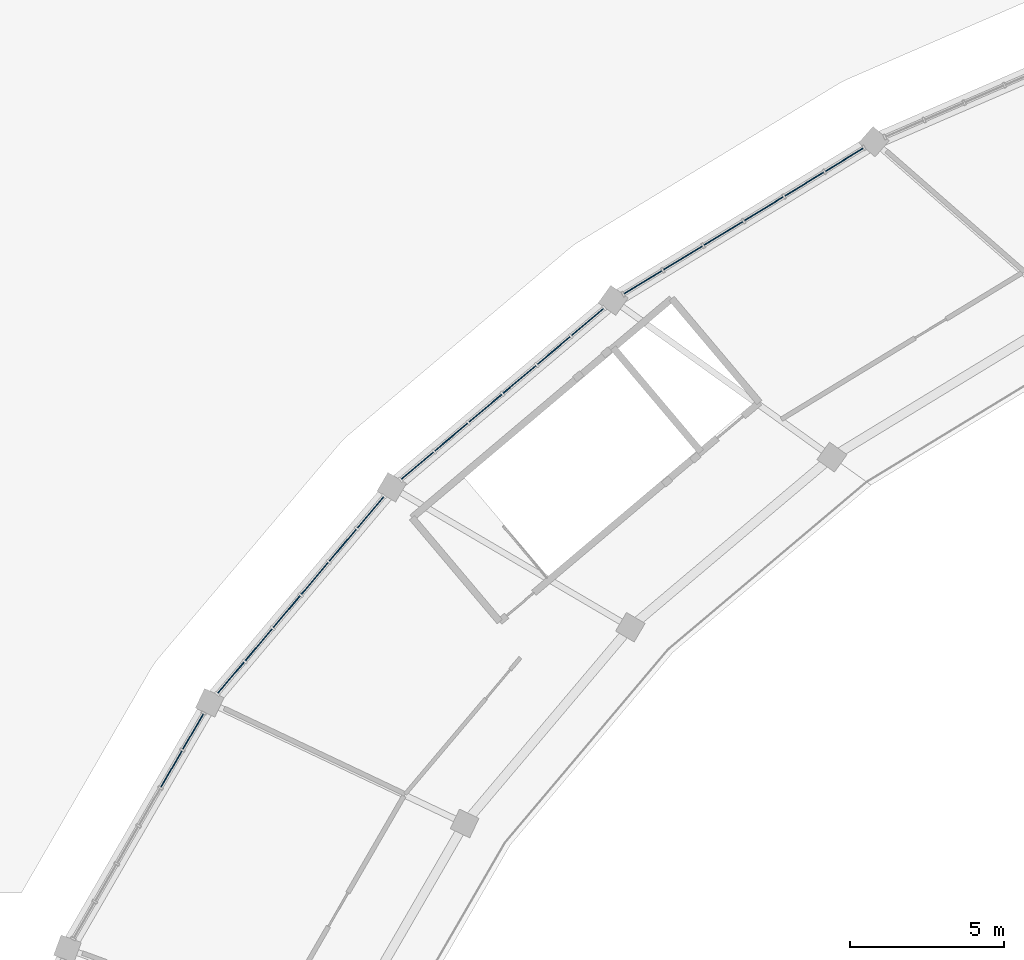
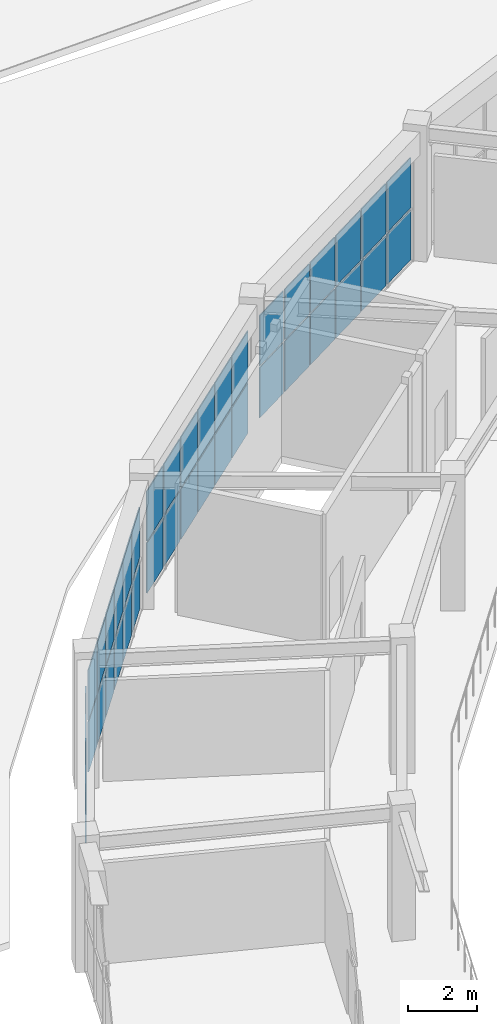
# One storey, part 34 of 45: 40 plates, 4 elements without a shape of their own.
"""IFC4 building model written with IfcOpenShell, lengths in metres."""

from ifc_helpers import new_model, si_unit, direction, frame, origin, origin_2d, place, context, subcontext, project, spatial, rectangle, extrude, material, layer, layer_set, type_object, element, aggregate, save


model = new_model("IFC4")

# Units and contexts
model_context = context("Model", 3, precision=1e-05, world=origin(), true_north=direction((0.0, 1.0)))
body_context = subcontext(model_context, "Body", "Model", "MODEL_VIEW")
ifc_project = project(units=[si_unit("LENGTHUNIT", "METRE"), si_unit("AREAUNIT", "SQUARE_METRE"), si_unit("VOLUMEUNIT", "CUBIC_METRE"), si_unit("PLANEANGLEUNIT", "RADIAN"), si_unit("MASSUNIT", "GRAM", prefix="KILO")], contexts=[model_context])

# Site, building, storey
site_placement = place(None, origin())
site = spatial("IfcSite", under=ifc_project, at=site_placement, CompositionType="ELEMENT")
building_placement = place(site_placement, origin())
building = spatial("IfcBuilding", under=site, at=building_placement, Name="Mphavela Belvedere Stadium", CompositionType="ELEMENT")
storey_placement = place(building_placement, frame((0.0, 0.0, 24.0)))
storey = spatial("IfcBuildingStorey", under=building, at=storey_placement, Name="L05", CompositionType="ELEMENT", Elevation=24.0)

# Curtain wall, plates
ifc_material_1 = material(Name="Anodised bronze unitised curtain wall framing")
ifc_layer_1 = layer(ifc_material_1, 0.205078125)
ifc_layer_set_1 = layer_set([ifc_layer_1], Name="Anodised bronze unitised curtain wall framing")
curtain_wall_type_1 = type_object("IfcCurtainWallType", Name="CW-UNIT-06", PredefinedType="USERDEFINED", material=ifc_layer_set_1)
curtain_wall_1_placement = place(storey_placement, origin())
curtain_wall_1 = element("IfcCurtainWall", 1, at=curtain_wall_1_placement, inside=storey, type_object=curtain_wall_type_1, Name="Belvedere colonnade curtain wall L05-18", ObjectType="UNITISED CURTAIN WALL", PredefinedType="USERDEFINED")
ifc_material_2 = material(Name="Solar-control double glazing", Category="glass")
ifc_layer_2 = layer(ifc_material_2, 0.031982421875)
ifc_layer_set_2 = layer_set([ifc_layer_2], Name="Solar-control double glazing")
plate_type = type_object("IfcPlateType", Name="CWP-SOLAR-GLASS", PredefinedType="CURTAIN_PANEL", material=ifc_layer_set_2)
plate_1_placement = place(storey_placement, frame((43.337158203125, 148.27294921875, 0.06005859375), z_axis=(0.0, 0.0, 1.0), x_axis=(-0.854327323226, -0.519735341101, 0.0)))
plate_1 = element("IfcPlate", 2, at=plate_1_placement, type_object=plate_type, Name="CW-06 panel 1.1", PredefinedType="CURTAIN_PANEL", context=body_context, shape_type="SweptSolid", body=[
    extrude(rectangle(XDim=1.436767578125, YDim=0.031982421875, at=origin_2d()), origin(), (0.0, 0.0, 1.0), 1.77001953125),
])
plate_2_placement = place(storey_placement, frame((43.337158203125, 148.27294921875, 1.889892578125), z_axis=(0.0, 0.0, 1.0), x_axis=(-0.854327323226, -0.519735341101, 0.0)))
plate_2 = element("IfcPlate", 3, at=plate_2_placement, type_object=plate_type, Name="CW-06 panel 1.2", PredefinedType="CURTAIN_PANEL", context=body_context, shape_type="SweptSolid", body=[
    extrude(rectangle(XDim=1.436767578125, YDim=0.031982421875, at=origin_2d()), origin(), (0.0, 0.0, 1.0), 1.77001953125),
])
plate_3_placement = place(storey_placement, frame((42.040283203125, 147.48388671875, 0.06005859375), z_axis=(0.0, 0.0, 1.0), x_axis=(-0.854327323226, -0.519735341101, 0.0)))
plate_3 = element("IfcPlate", 4, at=plate_3_placement, type_object=plate_type, Name="CW-06 panel 2.1", PredefinedType="CURTAIN_PANEL", context=body_context, shape_type="SweptSolid", body=[
    extrude(rectangle(XDim=1.46923828125, YDim=0.031982421875, at=origin_2d()), origin(), (0.0, 0.0, 1.0), 1.77001953125),
])
plate_4_placement = place(storey_placement, frame((42.040283203125, 147.48388671875, 1.889892578125), z_axis=(0.0, 0.0, 1.0), x_axis=(-0.854327323226, -0.519735341101, 0.0)))
plate_4 = element("IfcPlate", 5, at=plate_4_placement, type_object=plate_type, Name="CW-06 panel 2.2", PredefinedType="CURTAIN_PANEL", context=body_context, shape_type="SweptSolid", body=[
    extrude(rectangle(XDim=1.46923828125, YDim=0.031982421875, at=origin_2d()), origin(), (0.0, 0.0, 1.0), 1.77001953125),
])
plate_5_placement = place(storey_placement, frame((40.7294921875, 146.6865234375, 0.06005859375), z_axis=(0.0, 0.0, 1.0), x_axis=(-0.854327323226, -0.519735341101, 0.0)))
plate_5 = element("IfcPlate", 6, at=plate_5_placement, type_object=plate_type, Name="CW-06 panel 3.1", PredefinedType="CURTAIN_PANEL", context=body_context, shape_type="SweptSolid", body=[
    extrude(rectangle(XDim=1.46923828125, YDim=0.031982421875, at=origin_2d()), origin(), (0.0, 0.0, 1.0), 1.77001953125),
])
plate_6_placement = place(storey_placement, frame((40.7294921875, 146.6865234375, 1.889892578125), z_axis=(0.0, 0.0, 1.0), x_axis=(-0.854327323226, -0.519735341101, 0.0)))
plate_6 = element("IfcPlate", 7, at=plate_6_placement, type_object=plate_type, Name="CW-06 panel 3.2", PredefinedType="CURTAIN_PANEL", context=body_context, shape_type="SweptSolid", body=[
    extrude(rectangle(XDim=1.46923828125, YDim=0.031982421875, at=origin_2d()), origin(), (0.0, 0.0, 1.0), 1.77001953125),
])
plate_7_placement = place(storey_placement, frame((39.418701171875, 145.888916015625, 0.06005859375), z_axis=(0.0, 0.0, 1.0), x_axis=(-0.854327323226, -0.519735341101, 0.0)))
plate_7 = element("IfcPlate", 8, at=plate_7_placement, type_object=plate_type, Name="CW-06 panel 4.1", PredefinedType="CURTAIN_PANEL", context=body_context, shape_type="SweptSolid", body=[
    extrude(rectangle(XDim=1.46923828125, YDim=0.031982421875, at=origin_2d()), origin(), (0.0, 0.0, 1.0), 1.77001953125),
])
plate_8_placement = place(storey_placement, frame((39.418701171875, 145.888916015625, 1.889892578125), z_axis=(0.0, 0.0, 1.0), x_axis=(-0.854327323226, -0.519735341101, 0.0)))
plate_8 = element("IfcPlate", 9, at=plate_8_placement, type_object=plate_type, Name="CW-06 panel 4.2", PredefinedType="CURTAIN_PANEL", context=body_context, shape_type="SweptSolid", body=[
    extrude(rectangle(XDim=1.46923828125, YDim=0.031982421875, at=origin_2d()), origin(), (0.0, 0.0, 1.0), 1.77001953125),
])
plate_9_placement = place(storey_placement, frame((38.10791015625, 145.091552734375, 0.06005859375), z_axis=(0.0, 0.0, 1.0), x_axis=(-0.854327323226, -0.519735341101, 0.0)))
plate_9 = element("IfcPlate", 10, at=plate_9_placement, type_object=plate_type, Name="CW-06 panel 5.1", PredefinedType="CURTAIN_PANEL", context=body_context, shape_type="SweptSolid", body=[
    extrude(rectangle(XDim=1.46923828125, YDim=0.031982421875, at=origin_2d()), origin(), (0.0, 0.0, 1.0), 1.77001953125),
])
plate_10_placement = place(storey_placement, frame((38.10791015625, 145.091552734375, 1.889892578125), z_axis=(0.0, 0.0, 1.0), x_axis=(-0.854327323226, -0.519735341101, 0.0)))
plate_10 = element("IfcPlate", 11, at=plate_10_placement, type_object=plate_type, Name="CW-06 panel 5.2", PredefinedType="CURTAIN_PANEL", context=body_context, shape_type="SweptSolid", body=[
    extrude(rectangle(XDim=1.46923828125, YDim=0.031982421875, at=origin_2d()), origin(), (0.0, 0.0, 1.0), 1.77001953125),
])
plate_11_placement = place(storey_placement, frame((36.81103515625, 144.302490234375, 0.06005859375), z_axis=(0.0, 0.0, 1.0), x_axis=(-0.854327323226, -0.519735341101, 0.0)))
plate_11 = element("IfcPlate", 12, at=plate_11_placement, type_object=plate_type, Name="CW-06 panel 6.1", PredefinedType="CURTAIN_PANEL", context=body_context, shape_type="SweptSolid", body=[
    extrude(rectangle(XDim=1.436767578125, YDim=0.031982421875, at=origin_2d()), origin(), (0.0, 0.0, 1.0), 1.77001953125),
])
plate_12_placement = place(storey_placement, frame((36.81103515625, 144.302490234375, 1.889892578125), z_axis=(0.0, 0.0, 1.0), x_axis=(-0.854327323226, -0.519735341101, 0.0)))
plate_12 = element("IfcPlate", 13, at=plate_12_placement, type_object=plate_type, Name="CW-06 panel 6.2", PredefinedType="CURTAIN_PANEL", context=body_context, shape_type="SweptSolid", body=[
    extrude(rectangle(XDim=1.436767578125, YDim=0.031982421875, at=origin_2d()), origin(), (0.0, 0.0, 1.0), 1.77001953125),
])
aggregate(curtain_wall_1, [plate_1, plate_2, plate_3, plate_4, plate_5, plate_6, plate_7, plate_8, plate_9, plate_10, plate_11, plate_12])

ifc_material_3 = material(Name="Anodised bronze unitised curtain wall framing")
ifc_layer_3 = layer(ifc_material_3, 0.179931640625)
ifc_layer_set_3 = layer_set([ifc_layer_3], Name="Anodised bronze unitised curtain wall framing")
curtain_wall_type_2 = type_object("IfcCurtainWallType", Name="CW-UNIT-01", PredefinedType="USERDEFINED", material=ifc_layer_set_3)
curtain_wall_2_placement = place(storey_placement, origin())
curtain_wall_2 = element("IfcCurtainWall", 14, at=curtain_wall_2_placement, inside=storey, type_object=curtain_wall_type_2, Name="Belvedere colonnade curtain wall L05-19", ObjectType="UNITISED CURTAIN WALL", PredefinedType="USERDEFINED")
plate_13_placement = place(storey_placement, frame((35.01171875, 143.011962890625, 0.06005859375), z_axis=(0.0, 0.0, 1.0), x_axis=(-0.764253429051, -0.644916038089, 0.0)))
plate_13 = element("IfcPlate", 15, at=plate_13_placement, type_object=plate_type, Name="CW-01 panel 1.1", PredefinedType="CURTAIN_PANEL", context=body_context, shape_type="SweptSolid", body=[
    extrude(rectangle(XDim=1.352783203125, YDim=0.031982421875, at=origin_2d()), origin(), (0.0, 0.0, 1.0), 1.77001953125),
])
plate_14_placement = place(storey_placement, frame((35.01171875, 143.011962890625, 1.889892578125), z_axis=(0.0, 0.0, 1.0), x_axis=(-0.764253429051, -0.644916038089, 0.0)))
plate_14 = element("IfcPlate", 16, at=plate_14_placement, type_object=plate_type, Name="CW-01 panel 1.2", PredefinedType="CURTAIN_PANEL", context=body_context, shape_type="SweptSolid", body=[
    extrude(rectangle(XDim=1.352783203125, YDim=0.031982421875, at=origin_2d()), origin(), (0.0, 0.0, 1.0), 1.77001953125),
])
plate_15_placement = place(storey_placement, frame((33.915771484375, 142.087158203125, 0.06005859375), z_axis=(0.0, 0.0, 1.0), x_axis=(-0.764253429051, -0.644916038089, 0.0)))
plate_15 = element("IfcPlate", 17, at=plate_15_placement, type_object=plate_type, Name="CW-01 panel 2.1", PredefinedType="CURTAIN_PANEL", context=body_context, shape_type="SweptSolid", body=[
    extrude(rectangle(XDim=1.38525390625, YDim=0.031982421875, at=origin_2d()), origin(), (0.0, 0.0, 1.0), 1.77001953125),
])
plate_16_placement = place(storey_placement, frame((33.915771484375, 142.087158203125, 1.889892578125), z_axis=(0.0, 0.0, 1.0), x_axis=(-0.764253429051, -0.644916038089, 0.0)))
plate_16 = element("IfcPlate", 18, at=plate_16_placement, type_object=plate_type, Name="CW-01 panel 2.2", PredefinedType="CURTAIN_PANEL", context=body_context, shape_type="SweptSolid", body=[
    extrude(rectangle(XDim=1.38525390625, YDim=0.031982421875, at=origin_2d()), origin(), (0.0, 0.0, 1.0), 1.77001953125),
])
plate_17_placement = place(storey_placement, frame((32.807373046875, 141.151611328125, 0.06005859375), z_axis=(0.0, 0.0, 1.0), x_axis=(-0.764253429051, -0.644916038089, 0.0)))
plate_17 = element("IfcPlate", 19, at=plate_17_placement, type_object=plate_type, Name="CW-01 panel 3.1", PredefinedType="CURTAIN_PANEL", context=body_context, shape_type="SweptSolid", body=[
    extrude(rectangle(XDim=1.38525390625, YDim=0.031982421875, at=origin_2d()), origin(), (0.0, 0.0, 1.0), 1.77001953125),
])
plate_18_placement = place(storey_placement, frame((32.807373046875, 141.151611328125, 1.889892578125), z_axis=(0.0, 0.0, 1.0), x_axis=(-0.764253429051, -0.644916038089, 0.0)))
plate_18 = element("IfcPlate", 20, at=plate_18_placement, type_object=plate_type, Name="CW-01 panel 3.2", PredefinedType="CURTAIN_PANEL", context=body_context, shape_type="SweptSolid", body=[
    extrude(rectangle(XDim=1.38525390625, YDim=0.031982421875, at=origin_2d()), origin(), (0.0, 0.0, 1.0), 1.77001953125),
])
plate_19_placement = place(storey_placement, frame((31.69873046875, 140.21630859375, 0.06005859375), z_axis=(0.0, 0.0, 1.0), x_axis=(-0.764253429051, -0.644916038089, 0.0)))
plate_19 = element("IfcPlate", 21, at=plate_19_placement, type_object=plate_type, Name="CW-01 panel 4.1", PredefinedType="CURTAIN_PANEL", context=body_context, shape_type="SweptSolid", body=[
    extrude(rectangle(XDim=1.38525390625, YDim=0.031982421875, at=origin_2d()), origin(), (0.0, 0.0, 1.0), 1.77001953125),
])
plate_20_placement = place(storey_placement, frame((31.69873046875, 140.21630859375, 1.889892578125), z_axis=(0.0, 0.0, 1.0), x_axis=(-0.764253429051, -0.644916038089, 0.0)))
plate_20 = element("IfcPlate", 22, at=plate_20_placement, type_object=plate_type, Name="CW-01 panel 4.2", PredefinedType="CURTAIN_PANEL", context=body_context, shape_type="SweptSolid", body=[
    extrude(rectangle(XDim=1.38525390625, YDim=0.031982421875, at=origin_2d()), origin(), (0.0, 0.0, 1.0), 1.77001953125),
])
plate_21_placement = place(storey_placement, frame((30.59033203125, 139.281005859375, 0.06005859375), z_axis=(0.0, 0.0, 1.0), x_axis=(-0.764253429051, -0.644916038089, 0.0)))
plate_21 = element("IfcPlate", 23, at=plate_21_placement, type_object=plate_type, Name="CW-01 panel 5.1", PredefinedType="CURTAIN_PANEL", context=body_context, shape_type="SweptSolid", body=[
    extrude(rectangle(XDim=1.38525390625, YDim=0.031982421875, at=origin_2d()), origin(), (0.0, 0.0, 1.0), 1.77001953125),
])
plate_22_placement = place(storey_placement, frame((30.59033203125, 139.281005859375, 1.889892578125), z_axis=(0.0, 0.0, 1.0), x_axis=(-0.764253429051, -0.644916038089, 0.0)))
plate_22 = element("IfcPlate", 24, at=plate_22_placement, type_object=plate_type, Name="CW-01 panel 5.2", PredefinedType="CURTAIN_PANEL", context=body_context, shape_type="SweptSolid", body=[
    extrude(rectangle(XDim=1.38525390625, YDim=0.031982421875, at=origin_2d()), origin(), (0.0, 0.0, 1.0), 1.77001953125),
])
plate_23_placement = place(storey_placement, frame((29.494384765625, 138.35595703125, 0.06005859375), z_axis=(0.0, 0.0, 1.0), x_axis=(-0.764253429051, -0.644916038089, 0.0)))
plate_23 = element("IfcPlate", 25, at=plate_23_placement, type_object=plate_type, Name="CW-01 panel 6.1", PredefinedType="CURTAIN_PANEL", context=body_context, shape_type="SweptSolid", body=[
    extrude(rectangle(XDim=1.352783203125, YDim=0.031982421875, at=origin_2d()), origin(), (0.0, 0.0, 1.0), 1.77001953125),
])
plate_24_placement = place(storey_placement, frame((29.494384765625, 138.35595703125, 1.889892578125), z_axis=(0.0, 0.0, 1.0), x_axis=(-0.764253429051, -0.644916038089, 0.0)))
plate_24 = element("IfcPlate", 26, at=plate_24_placement, type_object=plate_type, Name="CW-01 panel 6.2", PredefinedType="CURTAIN_PANEL", context=body_context, shape_type="SweptSolid", body=[
    extrude(rectangle(XDim=1.352783203125, YDim=0.031982421875, at=origin_2d()), origin(), (0.0, 0.0, 1.0), 1.77001953125),
])
aggregate(curtain_wall_2, [plate_13, plate_14, plate_15, plate_16, plate_17, plate_18, plate_19, plate_20, plate_21, plate_22, plate_23, plate_24])

ifc_material_4 = material(Name="Anodised bronze unitised curtain wall framing")
ifc_layer_4 = layer(ifc_material_4, 0.18505859375)
ifc_layer_set_4 = layer_set([ifc_layer_4], Name="Anodised bronze unitised curtain wall framing")
curtain_wall_type_3 = type_object("IfcCurtainWallType", Name="CW-UNIT-02", PredefinedType="USERDEFINED", material=ifc_layer_set_4)
curtain_wall_3_placement = place(storey_placement, origin())
curtain_wall_3 = element("IfcCurtainWall", 27, at=curtain_wall_3_placement, inside=storey, type_object=curtain_wall_type_3, Name="Belvedere colonnade curtain wall L05-20", ObjectType="UNITISED CURTAIN WALL", PredefinedType="USERDEFINED")
plate_25_placement = place(storey_placement, frame((27.97216796875, 136.8369140625, 0.06005859375), z_axis=(0.0, 0.0, 1.0), x_axis=(-0.645175294774, -0.764034579723, 0.0)))
plate_25 = element("IfcPlate", 28, at=plate_25_placement, type_object=plate_type, Name="CW-02 panel 1.1", PredefinedType="CURTAIN_PANEL", context=body_context, shape_type="SweptSolid", body=[
    extrude(rectangle(XDim=1.311767578125, YDim=0.031982421875, at=origin_2d()), origin(), (0.0, 0.0, 1.0), 1.77001953125),
])
plate_26_placement = place(storey_placement, frame((27.97216796875, 136.8369140625, 1.889892578125), z_axis=(0.0, 0.0, 1.0), x_axis=(-0.645175294774, -0.764034579723, 0.0)))
plate_26 = element("IfcPlate", 29, at=plate_26_placement, type_object=plate_type, Name="CW-02 panel 1.2", PredefinedType="CURTAIN_PANEL", context=body_context, shape_type="SweptSolid", body=[
    extrude(rectangle(XDim=1.311767578125, YDim=0.031982421875, at=origin_2d()), origin(), (0.0, 0.0, 1.0), 1.77001953125),
])
plate_27_placement = place(storey_placement, frame((27.073486328125, 135.7724609375, 0.06005859375), z_axis=(0.0, 0.0, 1.0), x_axis=(-0.645175294774, -0.764034579723, 0.0)))
plate_27 = element("IfcPlate", 30, at=plate_27_placement, type_object=plate_type, Name="CW-02 panel 2.1", PredefinedType="CURTAIN_PANEL", context=body_context, shape_type="SweptSolid", body=[
    extrude(rectangle(XDim=1.34423828125, YDim=0.031982421875, at=origin_2d()), origin(), (0.0, 0.0, 1.0), 1.77001953125),
])
plate_28_placement = place(storey_placement, frame((27.073486328125, 135.7724609375, 1.889892578125), z_axis=(0.0, 0.0, 1.0), x_axis=(-0.645175294774, -0.764034579723, 0.0)))
plate_28 = element("IfcPlate", 31, at=plate_28_placement, type_object=plate_type, Name="CW-02 panel 2.2", PredefinedType="CURTAIN_PANEL", context=body_context, shape_type="SweptSolid", body=[
    extrude(rectangle(XDim=1.34423828125, YDim=0.031982421875, at=origin_2d()), origin(), (0.0, 0.0, 1.0), 1.77001953125),
])
plate_29_placement = place(storey_placement, frame((26.164306640625, 134.69580078125, 0.06005859375), z_axis=(0.0, 0.0, 1.0), x_axis=(-0.645175294774, -0.764034579723, 0.0)))
plate_29 = element("IfcPlate", 32, at=plate_29_placement, type_object=plate_type, Name="CW-02 panel 3.1", PredefinedType="CURTAIN_PANEL", context=body_context, shape_type="SweptSolid", body=[
    extrude(rectangle(XDim=1.34423828125, YDim=0.031982421875, at=origin_2d()), origin(), (0.0, 0.0, 1.0), 1.77001953125),
])
plate_30_placement = place(storey_placement, frame((26.164306640625, 134.69580078125, 1.889892578125), z_axis=(0.0, 0.0, 1.0), x_axis=(-0.645175294774, -0.764034579723, 0.0)))
plate_30 = element("IfcPlate", 33, at=plate_30_placement, type_object=plate_type, Name="CW-02 panel 3.2", PredefinedType="CURTAIN_PANEL", context=body_context, shape_type="SweptSolid", body=[
    extrude(rectangle(XDim=1.34423828125, YDim=0.031982421875, at=origin_2d()), origin(), (0.0, 0.0, 1.0), 1.77001953125),
])
plate_31_placement = place(storey_placement, frame((25.2548828125, 133.619140625, 0.06005859375), z_axis=(0.0, 0.0, 1.0), x_axis=(-0.645175294774, -0.764034579723, 0.0)))
plate_31 = element("IfcPlate", 34, at=plate_31_placement, type_object=plate_type, Name="CW-02 panel 4.1", PredefinedType="CURTAIN_PANEL", context=body_context, shape_type="SweptSolid", body=[
    extrude(rectangle(XDim=1.34423828125, YDim=0.031982421875, at=origin_2d()), origin(), (0.0, 0.0, 1.0), 1.77001953125),
])
plate_32_placement = place(storey_placement, frame((25.2548828125, 133.619140625, 1.889892578125), z_axis=(0.0, 0.0, 1.0), x_axis=(-0.645175294774, -0.764034579723, 0.0)))
plate_32 = element("IfcPlate", 35, at=plate_32_placement, type_object=plate_type, Name="CW-02 panel 4.2", PredefinedType="CURTAIN_PANEL", context=body_context, shape_type="SweptSolid", body=[
    extrude(rectangle(XDim=1.34423828125, YDim=0.031982421875, at=origin_2d()), origin(), (0.0, 0.0, 1.0), 1.77001953125),
])
plate_33_placement = place(storey_placement, frame((24.345703125, 132.54248046875, 0.06005859375), z_axis=(0.0, 0.0, 1.0), x_axis=(-0.645175294774, -0.764034579723, 0.0)))
plate_33 = element("IfcPlate", 36, at=plate_33_placement, type_object=plate_type, Name="CW-02 panel 5.1", PredefinedType="CURTAIN_PANEL", context=body_context, shape_type="SweptSolid", body=[
    extrude(rectangle(XDim=1.34423828125, YDim=0.031982421875, at=origin_2d()), origin(), (0.0, 0.0, 1.0), 1.77001953125),
])
plate_34_placement = place(storey_placement, frame((24.345703125, 132.54248046875, 1.889892578125), z_axis=(0.0, 0.0, 1.0), x_axis=(-0.645175294774, -0.764034579723, 0.0)))
plate_34 = element("IfcPlate", 37, at=plate_34_placement, type_object=plate_type, Name="CW-02 panel 5.2", PredefinedType="CURTAIN_PANEL", context=body_context, shape_type="SweptSolid", body=[
    extrude(rectangle(XDim=1.34423828125, YDim=0.031982421875, at=origin_2d()), origin(), (0.0, 0.0, 1.0), 1.77001953125),
])
plate_35_placement = place(storey_placement, frame((23.447021484375, 131.478271484375, 0.06005859375), z_axis=(0.0, 0.0, 1.0), x_axis=(-0.645175294774, -0.764034579723, 0.0)))
plate_35 = element("IfcPlate", 38, at=plate_35_placement, type_object=plate_type, Name="CW-02 panel 6.1", PredefinedType="CURTAIN_PANEL", context=body_context, shape_type="SweptSolid", body=[
    extrude(rectangle(XDim=1.311767578125, YDim=0.031982421875, at=origin_2d()), origin(), (0.0, 0.0, 1.0), 1.77001953125),
])
plate_36_placement = place(storey_placement, frame((23.447021484375, 131.478271484375, 1.889892578125), z_axis=(0.0, 0.0, 1.0), x_axis=(-0.645175294774, -0.764034579723, 0.0)))
plate_36 = element("IfcPlate", 39, at=plate_36_placement, type_object=plate_type, Name="CW-02 panel 6.2", PredefinedType="CURTAIN_PANEL", context=body_context, shape_type="SweptSolid", body=[
    extrude(rectangle(XDim=1.311767578125, YDim=0.031982421875, at=origin_2d()), origin(), (0.0, 0.0, 1.0), 1.77001953125),
])
aggregate(curtain_wall_3, [plate_25, plate_26, plate_27, plate_28, plate_29, plate_30, plate_31, plate_32, plate_33, plate_34, plate_35, plate_36])

ifc_material_5 = material(Name="Anodised bronze unitised curtain wall framing")
ifc_layer_5 = layer(ifc_material_5, 0.18994140625)
ifc_layer_set_5 = layer_set([ifc_layer_5], Name="Anodised bronze unitised curtain wall framing")
curtain_wall_type_4 = type_object("IfcCurtainWallType", Name="CW-UNIT-03", PredefinedType="USERDEFINED", material=ifc_layer_set_5)
curtain_wall_4_placement = place(storey_placement, origin())
curtain_wall_4 = element("IfcCurtainWall", 40, at=curtain_wall_4_placement, inside=storey, type_object=curtain_wall_type_4, Name="Belvedere colonnade curtain wall L05-21", ObjectType="UNITISED CURTAIN WALL", PredefinedType="USERDEFINED")
plate_37_placement = place(storey_placement, frame((22.2197265625, 129.7314453125, 0.06005859375), z_axis=(0.0, 0.0, 1.0), x_axis=(-0.500555998906, -0.865704159606, 0.0)))
plate_37 = element("IfcPlate", 41, at=plate_37_placement, type_object=plate_type, Name="CW-03 panel 1.1", PredefinedType="CURTAIN_PANEL", context=body_context, shape_type="SweptSolid", body=[
    extrude(rectangle(XDim=1.32275390625, YDim=0.031982421875, at=origin_2d()), origin(), (0.0, 0.0, 1.0), 1.77001953125),
])
plate_38_placement = place(storey_placement, frame((22.2197265625, 129.7314453125, 1.889892578125), z_axis=(0.0, 0.0, 1.0), x_axis=(-0.500555998906, -0.865704159606, 0.0)))
plate_38 = element("IfcPlate", 42, at=plate_38_placement, type_object=plate_type, Name="CW-03 panel 1.2", PredefinedType="CURTAIN_PANEL", context=body_context, shape_type="SweptSolid", body=[
    extrude(rectangle(XDim=1.32275390625, YDim=0.031982421875, at=origin_2d()), origin(), (0.0, 0.0, 1.0), 1.77001953125),
])
plate_39_placement = place(storey_placement, frame((21.51708984375, 128.51611328125, 0.06005859375), z_axis=(0.0, 0.0, 1.0), x_axis=(-0.500555998906, -0.865704159606, 0.0)))
plate_39 = element("IfcPlate", 43, at=plate_39_placement, type_object=plate_type, Name="CW-03 panel 2.1", PredefinedType="CURTAIN_PANEL", context=body_context, shape_type="SweptSolid", body=[
    extrude(rectangle(XDim=1.355224609375, YDim=0.031982421875, at=origin_2d()), origin(), (0.0, 0.0, 1.0), 1.77001953125),
])
plate_40_placement = place(storey_placement, frame((21.51708984375, 128.51611328125, 1.889892578125), z_axis=(0.0, 0.0, 1.0), x_axis=(-0.500555998906, -0.865704159606, 0.0)))
plate_40 = element("IfcPlate", 44, at=plate_40_placement, type_object=plate_type, Name="CW-03 panel 2.2", PredefinedType="CURTAIN_PANEL", context=body_context, shape_type="SweptSolid", body=[
    extrude(rectangle(XDim=1.355224609375, YDim=0.031982421875, at=origin_2d()), origin(), (0.0, 0.0, 1.0), 1.77001953125),
])
aggregate(curtain_wall_4, [plate_37, plate_38, plate_39, plate_40])

save(model, "model.ifc")
